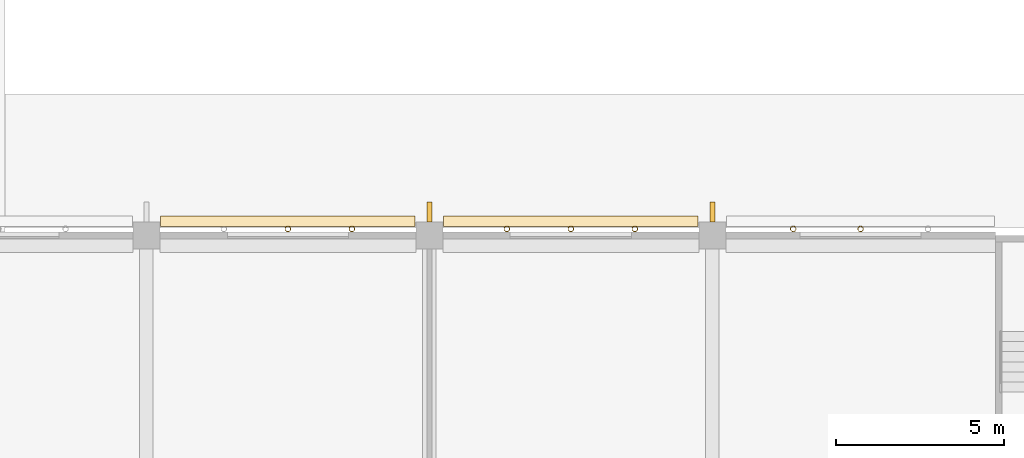
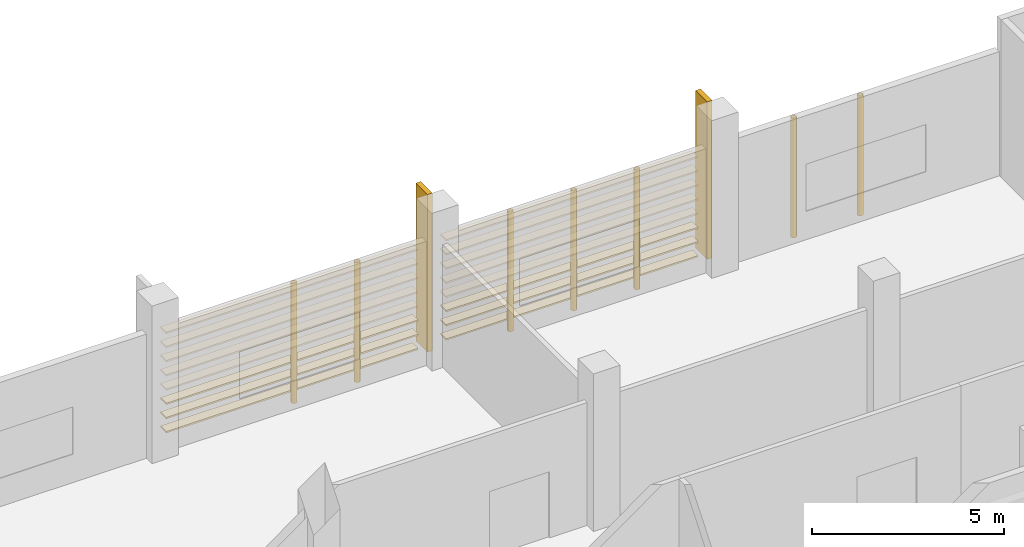
# One storey, part 65 of 101: 16 coverings, 9 shading devices.
"""IFC4 building model written with IfcOpenShell, lengths in metres."""

from ifc_helpers import new_model, si_unit, direction, frame, origin, origin_2d, place, context, subcontext, project, spatial, rectangle, hollow_circle, extrude, material, material_profile, profile_set, type_object, element, save


model = new_model("IFC4")

# Units and contexts
model_context = context("Model", 3, precision=1e-05, world=origin(), true_north=direction((0.0, 1.0)))
body_context = subcontext(model_context, "Body", "Model", "MODEL_VIEW")
ifc_project = project(units=[si_unit("LENGTHUNIT", "METRE"), si_unit("AREAUNIT", "SQUARE_METRE"), si_unit("VOLUMEUNIT", "CUBIC_METRE"), si_unit("PLANEANGLEUNIT", "RADIAN"), si_unit("MASSUNIT", "GRAM", prefix="KILO")], contexts=[model_context])

# Site, building, storey
site_placement = place(None, origin())
site = spatial("IfcSite", under=ifc_project, at=site_placement, CompositionType="ELEMENT")
building_placement = place(site_placement, origin())
building = spatial("IfcBuilding", under=site, at=building_placement, Name="Almond Square Museum", CompositionType="ELEMENT")
storey_placement = place(building_placement, frame((0.0, 0.0, 5.5)))
storey = spatial("IfcBuildingStorey", under=building, at=storey_placement, Name="L01", CompositionType="ELEMENT", Elevation=5.5)

# Shading devices
ifc_material_1 = material(Name="Structural steel S355", Category="steel")
ifc_material_profile_1 = material_profile(ifc_material_1, hollow_circle(Radius=0.084228515625, WallThickness=0.008056640625, at=origin_2d()))
ifc_profile_set_1 = profile_set([ifc_material_profile_1], Name="Structural steel S355")
shading_device_type_1 = type_object("IfcShadingDeviceType", Name="Louvre post CHS 168.3 x 8", PredefinedType="USERDEFINED", material=ifc_profile_set_1)
for number, where, z_axis, x_axis, name in (
    (1, (50.39990234375, 16.994140625, 0.0), (0.0, 0.0, 1.0), (1.0, 0.0, 0.0), "Louvre screen post"),
    (2, (52.39990234375, 16.994140625, 0.0), (0.0, 0.0, 1.0), (1.0, 0.0, 0.0), "Louvre screen post"),
    (3, (41.89990234375, 16.994140625, 0.0), (0.0, 0.0, 1.0), (1.0, 0.0, 0.0), "Louvre screen post"),
    (4, (43.800048828125, 16.994140625, 0.0), (0.0, 0.0, 1.0), (1.0, 0.0, 0.0), "Louvre screen post"),
    (5, (45.699951171875, 16.994140625, 0.0), (0.0, 0.0, 1.0), (1.0, 0.0, 0.0), "Louvre screen post"),
    (6, (35.39990234375, 16.994140625, 0.0), (0.0, 0.0, 1.0), (1.0, 0.0, 0.0), "Louvre screen post"),
    (7, (37.300048828125, 16.994140625, 0.0), (0.0, 0.0, 1.0), (1.0, 0.0, 0.0), "Louvre screen post"),
):
    element("IfcShadingDevice", number, at=place(storey_placement, frame(where, z_axis=z_axis, x_axis=x_axis)), inside=storey, type_object=shading_device_type_1, Name=name, ObjectType="POST", PredefinedType="USERDEFINED", context=body_context, shape_type="SweptSolid", body=[
        extrude(hollow_circle(Radius=0.084228515625, WallThickness=0.008056640625, at=origin_2d()), origin(), (0.0, 0.0, 1.0), 3.800048828125),
    ])

# Coverings
ifc_material_2 = material(Name="Cedar timber louvre board", Category="wood")
ifc_material_profile_2 = material_profile(ifc_material_2, rectangle(XDim=0.300048828125, YDim=0.050048828125, at=origin_2d()))
ifc_profile_set_2 = profile_set([ifc_material_profile_2], Name="Cedar timber louvre board")
covering_type = type_object("IfcCoveringType", Name="Louvre screen board 300 x 50", PredefinedType="CLADDING", material=ifc_profile_set_2)
for number, where, z_axis, x_axis, name in (
    (8, (40.02001953125, 17.224365234375, 0.300048828125), (1.0, 0.0, 0.0), (0.0, 1.0, 0.0), "Louvre screen board"),
    (9, (40.02001953125, 17.224365234375, 0.75), (1.0, 0.0, 0.0), (0.0, 1.0, 0.0), "Louvre screen board"),
    (10, (40.02001953125, 17.224365234375, 1.199951171875), (1.0, 0.0, 0.0), (0.0, 1.0, 0.0), "Louvre screen board"),
    (11, (40.02001953125, 17.224365234375, 1.64990234375), (1.0, 0.0, 0.0), (0.0, 1.0, 0.0), "Louvre screen board"),
    (12, (40.02001953125, 17.224365234375, 2.10009765625), (1.0, 0.0, 0.0), (0.0, 1.0, 0.0), "Louvre screen board"),
    (13, (40.02001953125, 17.224365234375, 2.550048828125), (1.0, 0.0, 0.0), (0.0, 1.0, 0.0), "Louvre screen board"),
    (14, (40.02001953125, 17.224365234375, 3.0), (1.0, 0.0, 0.0), (0.0, 1.0, 0.0), "Louvre screen board"),
    (15, (40.02001953125, 17.224365234375, 3.449951171875), (1.0, 0.0, 0.0), (0.0, 1.0, 0.0), "Louvre screen board"),
):
    element("IfcCovering", number, at=place(storey_placement, frame(where, z_axis=z_axis, x_axis=x_axis)), inside=storey, type_object=covering_type, Name=name, PredefinedType="CLADDING", context=body_context, shape_type="SweptSolid", body=[
        extrude(rectangle(XDim=0.300048828125, YDim=0.050048828125, at=origin_2d()), origin(), (0.0, 0.0, 1.0), 7.56005859375),
    ])
for number, where, z_axis, x_axis, name in (
    (16, (31.6201171875, 17.224365234375, 0.300048828125), (1.0, 0.0, 0.0), (0.0, 1.0, 0.0), "Louvre screen board"),
    (17, (31.6201171875, 17.224365234375, 0.75), (1.0, 0.0, 0.0), (0.0, 1.0, 0.0), "Louvre screen board"),
    (18, (31.6201171875, 17.224365234375, 1.199951171875), (1.0, 0.0, 0.0), (0.0, 1.0, 0.0), "Louvre screen board"),
    (19, (31.6201171875, 17.224365234375, 1.64990234375), (1.0, 0.0, 0.0), (0.0, 1.0, 0.0), "Louvre screen board"),
    (20, (31.6201171875, 17.224365234375, 2.10009765625), (1.0, 0.0, 0.0), (0.0, 1.0, 0.0), "Louvre screen board"),
    (21, (31.6201171875, 17.224365234375, 2.550048828125), (1.0, 0.0, 0.0), (0.0, 1.0, 0.0), "Louvre screen board"),
    (22, (31.6201171875, 17.224365234375, 3.0), (1.0, 0.0, 0.0), (0.0, 1.0, 0.0), "Louvre screen board"),
    (23, (31.6201171875, 17.224365234375, 3.449951171875), (1.0, 0.0, 0.0), (0.0, 1.0, 0.0), "Louvre screen board"),
):
    element("IfcCovering", number, at=place(storey_placement, frame(where, z_axis=z_axis, x_axis=x_axis)), inside=storey, type_object=covering_type, Name=name, PredefinedType="CLADDING", context=body_context, shape_type="SweptSolid", body=[
        extrude(rectangle(XDim=0.300048828125, YDim=0.050048828125, at=origin_2d()), origin(), (0.0, 0.0, 1.0), 7.559814453125),
    ])

# Shading devices
ifc_material_3 = material(Name="Cedar timber fin", Category="wood")
shading_device_type_2 = type_object("IfcShadingDeviceType", Name="Timber storm fin 150 x 600", PredefinedType="USERDEFINED", material=ifc_material_3)
for number, where, z_axis, x_axis, name in (
    (24, (39.60009765625, 17.5, 0.0), (0.0, 0.0, 1.0), (1.0, 0.0, 0.0), "Timber storm fin"),
    (25, (48.0, 17.5, 0.0), (0.0, 0.0, 1.0), (1.0, 0.0, 0.0), "Timber storm fin"),
):
    element("IfcShadingDevice", number, at=place(storey_placement, frame(where, z_axis=z_axis, x_axis=x_axis)), inside=storey, type_object=shading_device_type_2, Name=name, ObjectType="FIN", PredefinedType="USERDEFINED", context=body_context, shape_type="SweptSolid", body=[
        extrude(rectangle(XDim=0.14990234375, YDim=0.60009765625, at=origin_2d()), origin(), (0.0, 0.0, 1.0), 5.0),
    ])

save(model, "model.ifc")
